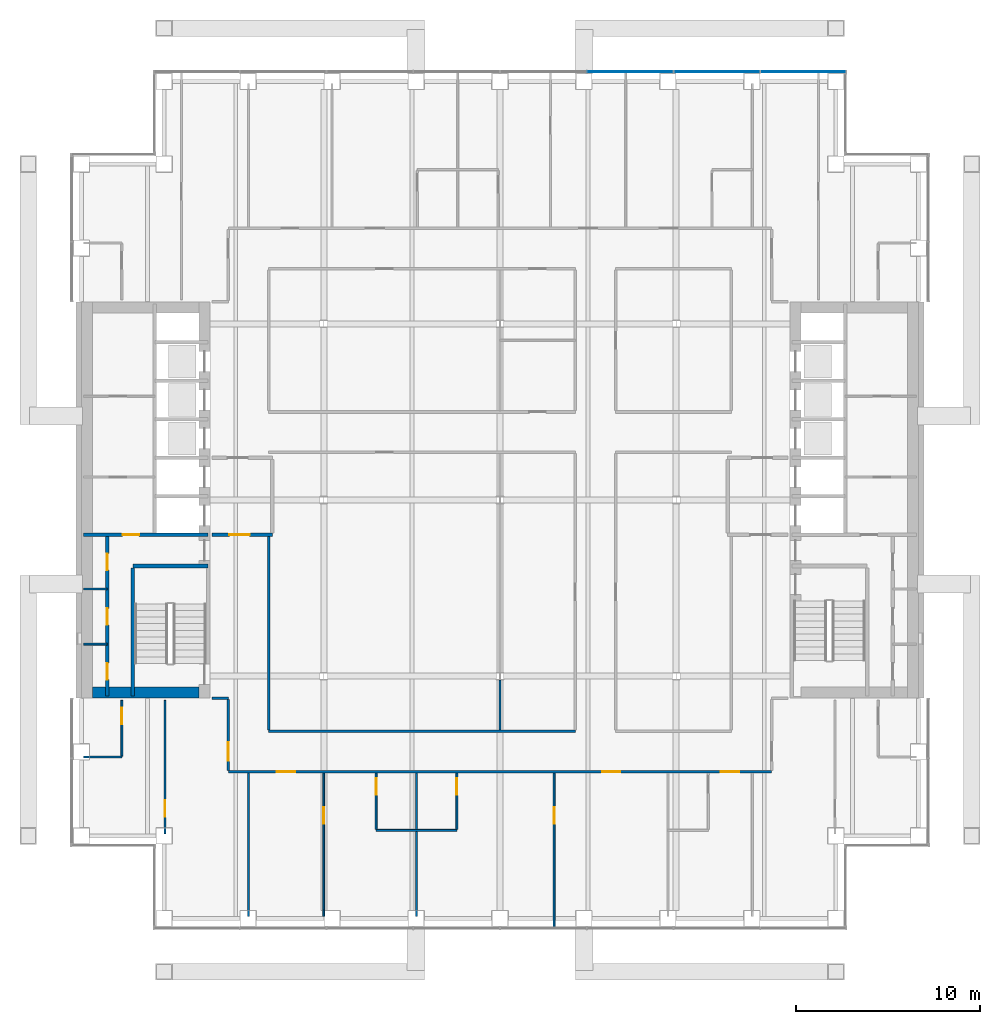
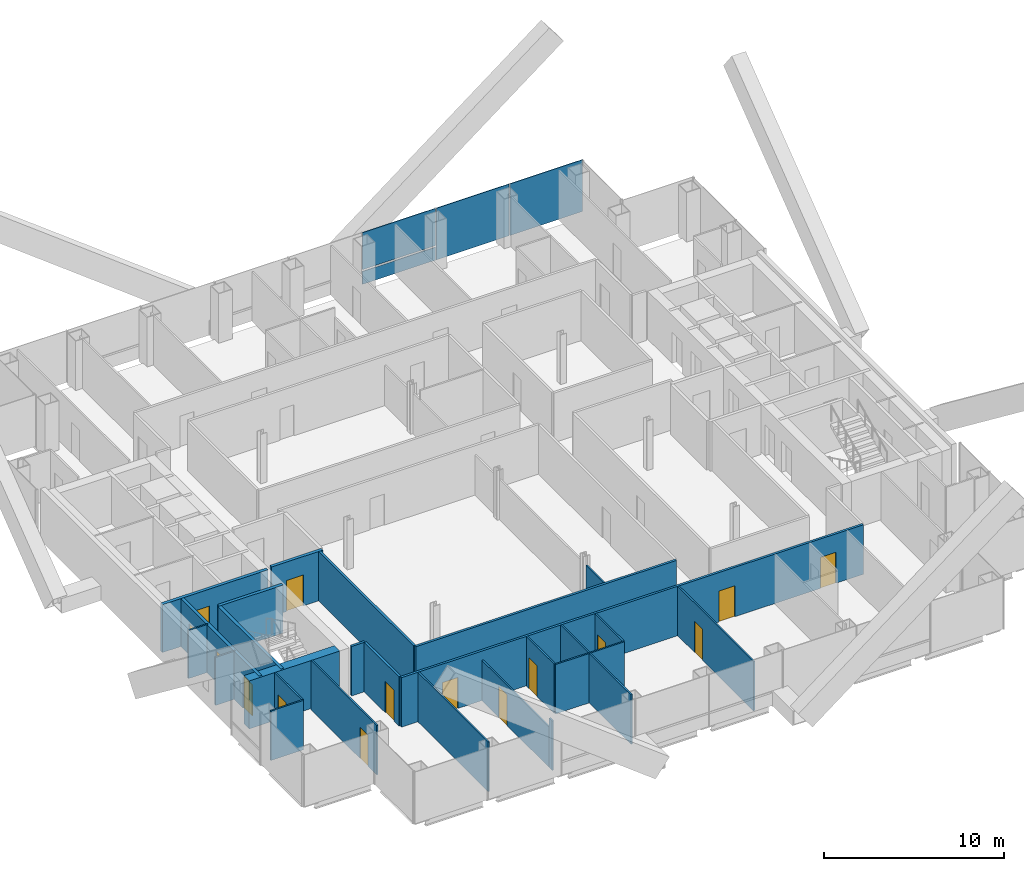
# One storey, part 11 of 17: 26 walls, 15 doors, 4 plates, 15 openings, 1 element without a shape of its own.
"""IFC4 building model written with IfcOpenShell, lengths in metres."""

from ifc_helpers import new_model, si_unit, direction, frame, frame_2d, origin, origin_2d, place, context, subcontext, project, spatial, rectangle, extrude, material, layer, layer_set, type_object, element, fill, aggregate, save


model = new_model("IFC4")

# Units and contexts
model_context = context("Model", 3, precision=1e-05, world=origin(), true_north=direction((0.0, 1.0)))
body_context = subcontext(model_context, "Body", "Model", "MODEL_VIEW")
ifc_project = project(units=[si_unit("LENGTHUNIT", "METRE"), si_unit("AREAUNIT", "SQUARE_METRE"), si_unit("VOLUMEUNIT", "CUBIC_METRE"), si_unit("PLANEANGLEUNIT", "RADIAN"), si_unit("MASSUNIT", "GRAM", prefix="KILO")], contexts=[model_context])

# Site, building, storey
site_placement = place(None, origin())
site = spatial("IfcSite", under=ifc_project, at=site_placement, CompositionType="ELEMENT")
building_placement = place(site_placement, origin())
building = spatial("IfcBuilding", under=site, at=building_placement, Name="Cobrizo Arcos Hotel Tower", CompositionType="ELEMENT")
storey_placement = place(building_placement, frame((0.0, 0.0, 106.5)))
storey = spatial("IfcBuildingStorey", under=building, at=storey_placement, Name="L26", CompositionType="ELEMENT", Elevation=106.5)

# Curtain wall, plates
ifc_material_1 = material(Name="Aluminium 6063-T6 anodised bronze", Category="aluminium")
curtain_wall_type = type_object("IfcCurtainWallType", Name="CW-A guest facade", PredefinedType="NOTDEFINED", material=ifc_material_1)
curtain_wall_placement = place(storey_placement, origin())
curtain_wall = element("IfcCurtainWall", 1, at=curtain_wall_placement, inside=storey, type_object=curtain_wall_type, Name="CW-A L26 N face", PredefinedType="NOTDEFINED")
ifc_material_2 = material(Name="Glass clear laminated low-e", Category="glass")
ifc_layer_1 = layer(ifc_material_2, 0.0400390625)
ifc_layer_set_1 = layer_set([ifc_layer_1], Name="CW-A glass panel")
plate_type_1 = type_object("IfcPlateType", Name="CW-A glass panel", PredefinedType="CURTAIN_PANEL", material=ifc_layer_set_1)
plate_1_placement = place(storey_placement, frame((7.08740234375, 23.324951171875, 0.990234375), z_axis=(0.0, 0.0, 1.0), x_axis=(-1.0, 0.0, 0.0)))
plate_1 = element("IfcPlate", 2, at=plate_1_placement, type_object=plate_type_1, Name="CW-A glass panel 1029", PredefinedType="CURTAIN_PANEL", context=body_context, shape_type="SweptSolid", body=[
    extrude(rectangle(XDim=4.6650390625, YDim=0.0400390625, at=origin_2d()), origin(), (0.0, 0.0, 1.0), 2.510009765625),
])
ifc_material_3 = material(Name="Aluminium composite panel pale metal", Category="aluminium")
ifc_layer_2 = layer(ifc_material_3, 0.0400390625)
ifc_layer_set_2 = layer_set([ifc_layer_2], Name="CW-A spandrel panel")
plate_type_2 = type_object("IfcPlateType", Name="CW-A spandrel panel", PredefinedType="CURTAIN_PANEL", material=ifc_layer_set_2)
plate_2_placement = place(storey_placement, frame((16.5224609375, 23.324951171875, 0.0), z_axis=(0.0, 0.0, 1.0), x_axis=(-1.0, 0.0, 0.0)))
plate_2 = element("IfcPlate", 3, at=plate_2_placement, type_object=plate_type_2, Name="CW-A spandrel panel 1027", PredefinedType="CURTAIN_PANEL", context=body_context, shape_type="SweptSolid", body=[
    extrude(rectangle(XDim=4.635009765625, YDim=0.0400390625, at=origin_2d()), origin(), (0.0, 0.0, 1.0), 3.5),
])
plate_3_placement = place(storey_placement, frame((11.8125, 23.324951171875, 0.0), z_axis=(0.0, 0.0, 1.0), x_axis=(-1.0, 0.0, 0.0)))
plate_3 = element("IfcPlate", 4, at=plate_3_placement, type_object=plate_type_2, Name="CW-A spandrel panel 1028", PredefinedType="CURTAIN_PANEL", context=body_context, shape_type="SweptSolid", body=[
    extrude(rectangle(XDim=4.6650390625, YDim=0.0400390625, at=origin_2d()), origin(), (0.0, 0.0, 1.0), 3.5),
])
plate_4_placement = place(storey_placement, frame((7.08740234375, 23.324951171875, 0.0), z_axis=(0.0, 0.0, 1.0), x_axis=(-1.0, 0.0, 0.0)))
plate_4 = element("IfcPlate", 5, at=plate_4_placement, type_object=plate_type_2, Name="CW-A spandrel panel 1029", PredefinedType="CURTAIN_PANEL", context=body_context, shape_type="SweptSolid", body=[
    extrude(rectangle(XDim=4.6650390625, YDim=0.0400390625, at=origin_2d()), origin(), (0.0, 0.0, 1.0), 0.8701171875),
])
aggregate(curtain_wall, [plate_2, plate_3, plate_4, plate_1])

# Wall, openings, doors
ifc_material_4 = material(Name="Gypsum board partition")
ifc_layer_3 = layer(ifc_material_4, 0.14990234375)
ifc_layer_set_3 = layer_set([ifc_layer_3], Name="Corridor wall EI 60 150")
wall_type_1 = type_object("IfcWallType", Name="Corridor wall EI 60 150", PredefinedType="PARTITIONING", material=ifc_layer_set_3)
wall_1_placement = place(storey_placement, frame((-14.800048828125, -14.800048828125, 0.0), z_axis=(0.0, 0.0, 1.0), x_axis=(1.0, 0.0, 0.0)))
wall_1 = element("IfcWall", 6, at=wall_1_placement, inside=storey, type_object=wall_type_1, Name="Partition 003", PredefinedType="PARTITIONING", context=body_context, shape_type="SweptSolid", body=[
    extrude(rectangle(XDim=29.60009765625, YDim=0.14990234375, at=frame_2d((14.800048828125, 0.0))), origin(), (0.0, 0.0, 1.0), 3.35009765625),
])
opening_1_placement = place(wall_1_placement, frame((2.634033203125, 0.0, 0.0)))
opening_1 = element("IfcOpeningElement", 7, at=opening_1_placement, cuts=wall_1, Name="Opening GD-04", PredefinedType="OPENING", context=body_context, shape_type="SweptSolid", body=[
    extrude(rectangle(XDim=1.0, YDim=2.10009765625, at=frame_2d((0.5, 1.050048828125))), frame((0.0, 0.0869140625, 0.0), z_axis=(0.0, -1.0, 0.0), x_axis=(1.0, 0.0, 0.0)), (0.0, 0.0, 1.0), 0.173828125),
])
opening_2_placement = place(wall_1_placement, frame((20.362060546875, 0.0, 0.0)))
opening_2 = element("IfcOpeningElement", 8, at=opening_2_placement, cuts=wall_1, Name="Opening GD-05", PredefinedType="OPENING", context=body_context, shape_type="SweptSolid", body=[
    extrude(rectangle(XDim=1.0, YDim=2.10009765625, at=frame_2d((0.5, 1.050048828125))), frame((0.0, 0.0869140625, 0.0), z_axis=(0.0, -1.0, 0.0), x_axis=(1.0, 0.0, 0.0)), (0.0, 0.0, 1.0), 0.173828125),
])
opening_3_placement = place(wall_1_placement, frame((26.8369140625, 0.0, 0.0)))
opening_3 = element("IfcOpeningElement", 9, at=opening_3_placement, cuts=wall_1, Name="Opening GD-06", PredefinedType="OPENING", context=body_context, shape_type="SweptSolid", body=[
    extrude(rectangle(XDim=1.0, YDim=2.10009765625, at=frame_2d((0.5, 1.050048828125))), frame((0.0, 0.0869140625, 0.0), z_axis=(0.0, -1.0, 0.0), x_axis=(1.0, 0.0, 0.0)), (0.0, 0.0, 1.0), 0.173828125),
])
ifc_material_5 = material(Name="Timber door leaf", Category="wood")
door_type_1 = type_object("IfcDoorType", Name="Guest room door FD30S 1000x2100", OperationType="SINGLE_SWING_LEFT", PredefinedType="DOOR", material=ifc_material_5)
door_1_placement = place(opening_1_placement, origin())
door_1 = element("IfcDoor", 10, at=door_1_placement, inside=storey, type_object=door_type_1, Name="Door GD-04", OperationType="SINGLE_SWING_RIGHT", OverallHeight=2.10009765625, OverallWidth=1.0, PredefinedType="DOOR", context=body_context, shape_type="SweptSolid", body=[
    extrude(rectangle(XDim=1.0, YDim=2.10009765625, at=frame_2d((0.5, 1.050048828125))), frame((0.0, 0.02490234375, 0.0), z_axis=(0.0, -1.0, 0.0), x_axis=(1.0, 0.0, 0.0)), (0.0, 0.0, 1.0), 0.050048828125),
])
fill(opening_1, door_1)
door_2_placement = place(opening_2_placement, origin())
door_2 = element("IfcDoor", 11, at=door_2_placement, inside=storey, type_object=door_type_1, Name="Door GD-05", OperationType="SINGLE_SWING_LEFT", OverallHeight=2.10009765625, OverallWidth=1.0, PredefinedType="DOOR", context=body_context, shape_type="SweptSolid", body=[
    extrude(rectangle(XDim=1.0, YDim=2.10009765625, at=frame_2d((0.5, 1.050048828125))), frame((0.0, 0.02490234375, 0.0), z_axis=(0.0, -1.0, 0.0), x_axis=(1.0, 0.0, 0.0)), (0.0, 0.0, 1.0), 0.050048828125),
])
fill(opening_2, door_2)
door_3_placement = place(opening_3_placement, origin())
door_3 = element("IfcDoor", 12, at=door_3_placement, inside=storey, type_object=door_type_1, Name="Door GD-06", OperationType="SINGLE_SWING_LEFT", OverallHeight=2.10009765625, OverallWidth=1.0, PredefinedType="DOOR", context=body_context, shape_type="SweptSolid", body=[
    extrude(rectangle(XDim=1.0, YDim=2.10009765625, at=frame_2d((0.5, 1.050048828125))), frame((0.0, 0.02490234375, 0.0), z_axis=(0.0, -1.0, 0.0), x_axis=(1.0, 0.0, 0.0)), (0.0, 0.0, 1.0), 0.050048828125),
])
fill(opening_3, door_3)

# Walls
wall_2_placement = place(storey_placement, frame((-12.60009765625, -12.60009765625, 0.0), z_axis=(0.0, 0.0, 1.0), x_axis=(1.0, 0.0, 0.0)))
element("IfcWall", 13, at=wall_2_placement, inside=storey, type_object=wall_type_1, Name="Partition 006", PredefinedType="PARTITIONING", context=body_context, shape_type="SweptSolid", body=[
    extrude(rectangle(XDim=16.7001953125, YDim=0.14990234375, at=frame_2d((8.35009765625, 0.0))), origin(), (0.0, 0.0, 1.0), 3.35009765625),
])
wall_3_placement = place(storey_placement, frame((-15.679931640625, -10.800048828125, 0.0), z_axis=(0.0, 0.0, 1.0), x_axis=(1.0, 0.0, 0.0)))
element("IfcWall", 14, at=wall_3_placement, inside=storey, type_object=wall_type_1, Name="Partition 008", PredefinedType="PARTITIONING", context=body_context, shape_type="SweptSolid", body=[
    extrude(rectangle(XDim=0.8798828125, YDim=0.14990234375, at=frame_2d((0.43994140625, 0.0))), origin(), (0.0, 0.0, 1.0), 3.35009765625),
])

# Wall, opening, door
wall_4_placement = place(storey_placement, frame((-14.800048828125, -14.72509765625, 0.0), z_axis=(0.0, 0.0, 1.0), x_axis=(0.0, 1.0, 0.0)))
wall_4 = element("IfcWall", 15, at=wall_4_placement, inside=storey, type_object=wall_type_1, Name="Partition 057", PredefinedType="PARTITIONING", context=body_context, shape_type="SweptSolid", body=[
    extrude(rectangle(XDim=3.85009765625, YDim=0.14990234375, at=frame_2d((1.925048828125, 0.0))), origin(), (0.0, 0.0, 1.0), 3.35009765625),
])
opening_4_placement = place(wall_4_placement, frame((0.52490234375, 0.0, 0.0)))
opening_4 = element("IfcOpeningElement", 16, at=opening_4_placement, cuts=wall_4, Name="Opening GD-07", PredefinedType="OPENING", context=body_context, shape_type="SweptSolid", body=[
    extrude(rectangle(XDim=1.0, YDim=2.10009765625, at=frame_2d((0.5, 1.050048828125))), frame((0.0, 0.0869140625, 0.0), z_axis=(0.0, -1.0, 0.0), x_axis=(1.0, 0.0, 0.0)), (0.0, 0.0, 1.0), 0.173828125),
])
door_4_placement = place(opening_4_placement, origin())
door_4 = element("IfcDoor", 17, at=door_4_placement, inside=storey, type_object=door_type_1, Name="Door GD-07", OperationType="SINGLE_SWING_RIGHT", OverallHeight=2.10009765625, OverallWidth=1.0, PredefinedType="DOOR", context=body_context, shape_type="SweptSolid", body=[
    extrude(rectangle(XDim=1.0, YDim=2.10009765625, at=frame_2d((0.5, 1.050048828125))), frame((0.0, 0.02490234375, 0.0), z_axis=(0.0, -1.0, 0.0), x_axis=(1.0, 0.0, 0.0)), (0.0, 0.0, 1.0), 0.050048828125),
])
fill(opening_4, door_4)

# Walls
wall_5_placement = place(storey_placement, frame((-12.60009765625, -12.52490234375, 0.0), z_axis=(0.0, 0.0, 1.0), x_axis=(0.0, 1.0, 0.0)))
element("IfcWall", 18, at=wall_5_placement, inside=storey, type_object=wall_type_1, Name="Partition 061", PredefinedType="PARTITIONING", context=body_context, shape_type="SweptSolid", body=[
    extrude(rectangle(XDim=10.52490234375, YDim=0.14990234375, at=frame_2d((5.262451171875, 0.0))), origin(), (0.0, 0.0, 1.0), 3.35009765625),
])
ifc_layer_4 = layer(ifc_material_4, 0.10009765625)
ifc_layer_set_4 = layer_set([ifc_layer_4], Name="Partition EI 30 100")
wall_type_2 = type_object("IfcWallType", Name="Partition EI 30 100", PredefinedType="PARTITIONING", material=ifc_layer_set_4)
wall_6_placement = place(storey_placement, frame((-6.75, -18.0, 0.0), z_axis=(0.0, 0.0, 1.0), x_axis=(1.0, 0.0, 0.0)))
element("IfcWall", 19, at=wall_6_placement, inside=storey, type_object=wall_type_2, Name="Partition 001", PredefinedType="PARTITIONING", context=body_context, shape_type="SweptSolid", body=[
    extrude(rectangle(XDim=4.39990234375, YDim=0.10009765625, at=frame_2d((2.199951171875, 0.0))), origin(), (0.0, 0.0, 1.0), 3.35009765625),
])
wall_7_placement = place(storey_placement, frame((-22.679931640625, -14.0, 0.0), z_axis=(0.0, 0.0, 1.0), x_axis=(1.0, 0.0, 0.0)))
element("IfcWall", 20, at=wall_7_placement, inside=storey, type_object=wall_type_2, Name="Partition 004", PredefinedType="PARTITIONING", context=body_context, shape_type="SweptSolid", body=[
    extrude(rectangle(XDim=2.079833984375, YDim=0.10009765625, at=frame_2d((1.0400390625, 0.0))), origin(), (0.0, 0.0, 1.0), 3.35009765625),
])
for number, where, z_axis, x_axis, name in (
    (21, (-22.679931640625, -7.85009765625, 0.0), (0.0, 0.0, 1.0), (1.0, 0.0, 0.0), "Partition 010"),
    (22, (-22.679931640625, -4.85009765625, 0.0), (0.0, 0.0, 1.0), (1.0, 0.0, 0.0), "Partition 012"),
):
    element("IfcWall", number, at=place(storey_placement, frame(where, z_axis=z_axis, x_axis=x_axis)), inside=storey, type_object=wall_type_2, Name=name, PredefinedType="PARTITIONING", context=body_context, shape_type="SweptSolid", body=[
        extrude(rectangle(XDim=1.280029296875, YDim=0.10009765625, at=frame_2d((0.64013671875, 0.0))), origin(), (0.0, 0.0, 1.0), 3.25),
    ])

# Wall, opening, door
wall_8_placement = place(storey_placement, frame((-20.60009765625, -13.949951171875, 0.0), z_axis=(0.0, 0.0, 1.0), x_axis=(0.0, 1.0, 0.0)))
wall_8 = element("IfcWall", 23, at=wall_8_placement, inside=storey, type_object=wall_type_2, Name="Partition 051", PredefinedType="PARTITIONING", context=body_context, shape_type="SweptSolid", body=[
    extrude(rectangle(XDim=3.030029296875, YDim=0.10009765625, at=frame_2d((1.51513671875, 0.0))), origin(), (0.0, 0.0, 1.0), 3.35009765625),
])
opening_5_placement = place(wall_8_placement, frame((1.739990234375, 0.0, 0.0)))
opening_5 = element("IfcOpeningElement", 24, at=opening_5_placement, cuts=wall_8, Name="Opening ED-09", PredefinedType="OPENING", context=body_context, shape_type="SweptSolid", body=[
    extrude(rectangle(XDim=0.89990234375, YDim=2.10009765625, at=frame_2d((0.449951171875, 1.050048828125))), frame((0.0, 0.06201171875, 0.0), z_axis=(0.0, -1.0, 0.0), x_axis=(1.0, 0.0, 0.0)), (0.0, 0.0, 1.0), 0.1240234375),
])
door_type_2 = type_object("IfcDoorType", Name="En-suite door 900x2100", OperationType="SINGLE_SWING_LEFT", PredefinedType="DOOR", material=ifc_material_5)
door_5_placement = place(opening_5_placement, origin())
door_5 = element("IfcDoor", 25, at=door_5_placement, inside=storey, type_object=door_type_2, Name="Door ED-09", OperationType="SINGLE_SWING_RIGHT", OverallHeight=2.10009765625, OverallWidth=0.89990234375, PredefinedType="DOOR", context=body_context, shape_type="SweptSolid", body=[
    extrude(rectangle(XDim=0.89990234375, YDim=2.10009765625, at=frame_2d((0.449951171875, 1.050048828125))), frame((0.0, 0.02490234375, 0.0), z_axis=(0.0, -1.0, 0.0), x_axis=(1.0, 0.0, 0.0)), (0.0, 0.0, 1.0), 0.050048828125),
])
fill(opening_5, door_5)

wall_9_placement = place(storey_placement, frame((-18.25, -18.19091796875, 0.0), z_axis=(0.0, 0.0, 1.0), x_axis=(0.0, 1.0, 0.0)))
wall_9 = element("IfcWall", 26, at=wall_9_placement, inside=storey, type_object=wall_type_2, Name="Partition 055", PredefinedType="PARTITIONING", context=body_context, shape_type="SweptSolid", body=[
    extrude(rectangle(XDim=7.27099609375, YDim=0.10009765625, at=frame_2d((3.635498046875, 0.0))), origin(), (0.0, 0.0, 1.0), 3.35009765625),
])
opening_6_placement = place(wall_9_placement, frame((0.94091796875, 0.0, 0.0)))
opening_6 = element("IfcOpeningElement", 27, at=opening_6_placement, cuts=wall_9, Name="Opening RD-15", PredefinedType="OPENING", context=body_context, shape_type="SweptSolid", body=[
    extrude(rectangle(XDim=0.89990234375, YDim=2.10009765625, at=frame_2d((0.449951171875, 1.050048828125))), frame((0.0, 0.06201171875, 0.0), z_axis=(0.0, -1.0, 0.0), x_axis=(1.0, 0.0, 0.0)), (0.0, 0.0, 1.0), 0.1240234375),
])
door_type_3 = type_object("IfcDoorType", Name="Room door FD30 900x2100", OperationType="SINGLE_SWING_LEFT", PredefinedType="DOOR", material=ifc_material_5)
door_6_placement = place(opening_6_placement, origin())
door_6 = element("IfcDoor", 28, at=door_6_placement, inside=storey, type_object=door_type_3, Name="Door RD-15", OperationType="SINGLE_SWING_RIGHT", OverallHeight=2.10009765625, OverallWidth=0.89990234375, PredefinedType="DOOR", context=body_context, shape_type="SweptSolid", body=[
    extrude(rectangle(XDim=0.89990234375, YDim=2.10009765625, at=frame_2d((0.449951171875, 1.050048828125))), frame((0.0, 0.02490234375, 0.0), z_axis=(0.0, -1.0, 0.0), x_axis=(1.0, 0.0, 0.0)), (0.0, 0.0, 1.0), 0.050048828125),
])
fill(opening_6, door_6)

# Walls
wall_10_placement = place(storey_placement, frame((-13.699951171875, -22.679931640625, 0.0), z_axis=(0.0, 0.0, 1.0), x_axis=(0.0, 1.0, 0.0)))
element("IfcWall", 29, at=wall_10_placement, inside=storey, type_object=wall_type_2, Name="Partition 059", PredefinedType="PARTITIONING", context=body_context, shape_type="SweptSolid", body=[
    extrude(rectangle(XDim=7.804931640625, YDim=0.10009765625, at=frame_2d((3.90234375, 0.0))), origin(), (0.0, 0.0, 1.0), 3.35009765625),
])
wall_11_placement = place(storey_placement, frame((-9.60009765625, -22.679931640625, 0.0), z_axis=(0.0, 0.0, 1.0), x_axis=(0.0, 1.0, 0.0)))
element("IfcWall", 30, at=wall_11_placement, inside=storey, type_object=wall_type_2, Name="Partition 064", PredefinedType="PARTITIONING", context=body_context, shape_type="SweptSolid", body=[
    extrude(rectangle(XDim=0.329833984375, YDim=0.10009765625, at=frame_2d((0.1650390625, 0.0))), origin(), (0.0, 0.0, 1.0), 3.35009765625),
])

# Wall, opening, door
wall_12_placement = place(storey_placement, frame((-9.60009765625, -22.35009765625, 0.0), z_axis=(0.0, 0.0, 1.0), x_axis=(0.0, 1.0, 0.0)))
wall_12 = element("IfcWall", 31, at=wall_12_placement, inside=storey, type_object=wall_type_2, Name="Partition 065", PredefinedType="PARTITIONING", context=body_context, shape_type="SweptSolid", body=[
    extrude(rectangle(XDim=7.47509765625, YDim=0.10009765625, at=frame_2d((3.737548828125, 0.0))), origin(), (0.0, 0.0, 1.0), 2.72802734375),
])
opening_7_placement = place(wall_12_placement, frame((4.699951171875, 0.0, 0.0)))
opening_7 = element("IfcOpeningElement", 32, at=opening_7_placement, cuts=wall_12, Name="Opening RD-13", PredefinedType="OPENING", context=body_context, shape_type="SweptSolid", body=[
    extrude(rectangle(XDim=0.89990234375, YDim=2.10009765625, at=frame_2d((0.449951171875, 1.050048828125))), frame((0.0, 0.06201171875, 0.0), z_axis=(0.0, -1.0, 0.0), x_axis=(1.0, 0.0, 0.0)), (0.0, 0.0, 1.0), 0.1240234375),
])
door_7_placement = place(opening_7_placement, origin())
door_7 = element("IfcDoor", 33, at=door_7_placement, inside=storey, type_object=door_type_3, Name="Door RD-13", OperationType="SINGLE_SWING_RIGHT", OverallHeight=2.10009765625, OverallWidth=0.89990234375, PredefinedType="DOOR", context=body_context, shape_type="SweptSolid", body=[
    extrude(rectangle(XDim=0.89990234375, YDim=2.10009765625, at=frame_2d((0.449951171875, 1.050048828125))), frame((0.0, 0.02490234375, 0.0), z_axis=(0.0, -1.0, 0.0), x_axis=(1.0, 0.0, 0.0)), (0.0, 0.0, 1.0), 0.050048828125),
])
fill(opening_7, door_7)

wall_13_placement = place(storey_placement, frame((-6.75, -17.949951171875, 0.0), z_axis=(0.0, 0.0, 1.0), x_axis=(0.0, 1.0, 0.0)))
wall_13 = element("IfcWall", 34, at=wall_13_placement, inside=storey, type_object=wall_type_2, Name="Partition 067", PredefinedType="PARTITIONING", context=body_context, shape_type="SweptSolid", body=[
    extrude(rectangle(XDim=3.074951171875, YDim=0.10009765625, at=frame_2d((1.53759765625, 0.0))), origin(), (0.0, 0.0, 1.0), 3.35009765625),
])
opening_8_placement = place(wall_13_placement, frame((1.89990234375, 0.0, 0.0)))
opening_8 = element("IfcOpeningElement", 35, at=opening_8_placement, cuts=wall_13, Name="Opening ED-06", PredefinedType="OPENING", context=body_context, shape_type="SweptSolid", body=[
    extrude(rectangle(XDim=0.89990234375, YDim=2.10009765625, at=frame_2d((0.449951171875, 1.050048828125))), frame((0.0, 0.06201171875, 0.0), z_axis=(0.0, -1.0, 0.0), x_axis=(1.0, 0.0, 0.0)), (0.0, 0.0, 1.0), 0.1240234375),
])
door_8_placement = place(opening_8_placement, origin())
door_8 = element("IfcDoor", 36, at=door_8_placement, inside=storey, type_object=door_type_2, Name="Door ED-06", OperationType="SINGLE_SWING_RIGHT", OverallHeight=2.10009765625, OverallWidth=0.89990234375, PredefinedType="DOOR", context=body_context, shape_type="SweptSolid", body=[
    extrude(rectangle(XDim=0.89990234375, YDim=2.10009765625, at=frame_2d((0.449951171875, 1.050048828125))), frame((0.0, 0.02490234375, 0.0), z_axis=(0.0, -1.0, 0.0), x_axis=(1.0, 0.0, 0.0)), (0.0, 0.0, 1.0), 0.050048828125),
])
fill(opening_8, door_8)

# Walls
wall_14_placement = place(storey_placement, frame((-4.550048828125, -22.679931640625, 0.0), z_axis=(0.0, 0.0, 1.0), x_axis=(0.0, 1.0, 0.0)))
element("IfcWall", 37, at=wall_14_placement, inside=storey, type_object=wall_type_2, Name="Partition 068", PredefinedType="PARTITIONING", context=body_context, shape_type="SweptSolid", body=[
    extrude(rectangle(XDim=4.6298828125, YDim=0.10009765625, at=frame_2d((2.31494140625, 0.0))), origin(), (0.0, 0.0, 1.0), 3.35009765625),
])
wall_15_placement = place(storey_placement, frame((-4.550048828125, -17.949951171875, 0.0), z_axis=(0.0, 0.0, 1.0), x_axis=(0.0, 1.0, 0.0)))
element("IfcWall", 38, at=wall_15_placement, inside=storey, type_object=wall_type_2, Name="Partition 069", PredefinedType="PARTITIONING", context=body_context, shape_type="SweptSolid", body=[
    extrude(rectangle(XDim=3.074951171875, YDim=0.10009765625, at=frame_2d((1.53759765625, 0.0))), origin(), (0.0, 0.0, 1.0), 3.35009765625),
])

# Wall, opening, door
wall_16_placement = place(storey_placement, frame((-2.35009765625, -17.949951171875, 0.0), z_axis=(0.0, 0.0, 1.0), x_axis=(0.0, 1.0, 0.0)))
wall_16 = element("IfcWall", 39, at=wall_16_placement, inside=storey, type_object=wall_type_2, Name="Partition 071", PredefinedType="PARTITIONING", context=body_context, shape_type="SweptSolid", body=[
    extrude(rectangle(XDim=3.074951171875, YDim=0.10009765625, at=frame_2d((1.53759765625, 0.0))), origin(), (0.0, 0.0, 1.0), 3.35009765625),
])
opening_9_placement = place(wall_16_placement, frame((1.89990234375, 0.0, 0.0)))
opening_9 = element("IfcOpeningElement", 40, at=opening_9_placement, cuts=wall_16, Name="Opening ED-07", PredefinedType="OPENING", context=body_context, shape_type="SweptSolid", body=[
    extrude(rectangle(XDim=0.89990234375, YDim=2.10009765625, at=frame_2d((0.449951171875, 1.050048828125))), frame((0.0, 0.06201171875, 0.0), z_axis=(0.0, -1.0, 0.0), x_axis=(1.0, 0.0, 0.0)), (0.0, 0.0, 1.0), 0.1240234375),
])
door_9_placement = place(opening_9_placement, origin())
door_9 = element("IfcDoor", 41, at=door_9_placement, inside=storey, type_object=door_type_2, Name="Door ED-07", OperationType="SINGLE_SWING_RIGHT", OverallHeight=2.10009765625, OverallWidth=0.89990234375, PredefinedType="DOOR", context=body_context, shape_type="SweptSolid", body=[
    extrude(rectangle(XDim=0.89990234375, YDim=2.10009765625, at=frame_2d((0.449951171875, 1.050048828125))), frame((0.0, 0.02490234375, 0.0), z_axis=(0.0, -1.0, 0.0), x_axis=(1.0, 0.0, 0.0)), (0.0, 0.0, 1.0), 0.050048828125),
])
fill(opening_9, door_9)

# Wall
wall_17_placement = place(storey_placement, frame((0.0, -12.52490234375, 0.0), z_axis=(0.0, 0.0, 1.0), x_axis=(0.0, 1.0, 0.0)))
element("IfcWall", 42, at=wall_17_placement, inside=storey, type_object=wall_type_2, Name="Partition 075", PredefinedType="PARTITIONING", context=body_context, shape_type="SweptSolid", body=[
    extrude(rectangle(XDim=2.725830078125, YDim=0.10009765625, at=frame_2d((1.36279296875, 0.0))), origin(), (0.0, 0.0, 1.0), 2.72802734375),
])

# Wall, opening, door
wall_18_placement = place(storey_placement, frame((2.949951171875, -23.280029296875, 0.0), z_axis=(0.0, 0.0, 1.0), x_axis=(0.0, 1.0, 0.0)))
wall_18 = element("IfcWall", 43, at=wall_18_placement, inside=storey, type_object=wall_type_2, Name="Partition 084", PredefinedType="PARTITIONING", context=body_context, shape_type="SweptSolid", body=[
    extrude(rectangle(XDim=8.405029296875, YDim=0.10009765625, at=frame_2d((4.20263671875, 0.0))), origin(), (0.0, 0.0, 1.0), 3.35009765625),
])
opening_10_placement = place(wall_18_placement, frame((5.6298828125, 0.0, 0.0)))
opening_10 = element("IfcOpeningElement", 44, at=opening_10_placement, cuts=wall_18, Name="Opening RD-14", PredefinedType="OPENING", context=body_context, shape_type="SweptSolid", body=[
    extrude(rectangle(XDim=0.89990234375, YDim=2.10009765625, at=frame_2d((0.449951171875, 1.050048828125))), frame((0.0, 0.06201171875, 0.0), z_axis=(0.0, -1.0, 0.0), x_axis=(1.0, 0.0, 0.0)), (0.0, 0.0, 1.0), 0.1240234375),
])
door_10_placement = place(opening_10_placement, origin())
door_10 = element("IfcDoor", 45, at=door_10_placement, inside=storey, type_object=door_type_3, Name="Door RD-14", OperationType="SINGLE_SWING_LEFT", OverallHeight=2.10009765625, OverallWidth=0.89990234375, PredefinedType="DOOR", context=body_context, shape_type="SweptSolid", body=[
    extrude(rectangle(XDim=0.89990234375, YDim=2.10009765625, at=frame_2d((0.449951171875, 1.050048828125))), frame((0.0, 0.02490234375, 0.0), z_axis=(0.0, -1.0, 0.0), x_axis=(1.0, 0.0, 0.0)), (0.0, 0.0, 1.0), 0.050048828125),
])
fill(opening_10, door_10)

# Wall
ifc_material_6 = material(Name="Concrete f'c 50 MPa", Category="concrete")
ifc_layer_5 = layer(ifc_material_6, 0.60009765625)
ifc_layer_set_5 = layer_set([ifc_layer_5], Name="RC core wall 600 f'c 50")
wall_type_3 = type_object("IfcWallType", Name="RC core wall 600 f'c 50", PredefinedType="SHEAR", material=ifc_layer_set_5)
wall_19_placement = place(storey_placement, frame((-22.199951171875, -10.5, 0.0), z_axis=(0.0, 0.0, 1.0), x_axis=(1.0, 0.0, 0.0)))
element("IfcWall", 46, at=wall_19_placement, inside=storey, type_object=wall_type_3, Name="Core wall CW2, west core, south end, L26", PredefinedType="SHEAR", context=body_context, shape_type="SweptSolid", body=[
    extrude(rectangle(XDim=5.800048828125, YDim=0.60009765625, at=frame_2d((2.89990234375, 0.0))), origin(), (0.0, 0.0, 1.0), 3.25),
])

# Wall, opening, door
ifc_layer_6 = layer(ifc_material_4, 0.199951171875)
ifc_layer_set_6 = layer_set([ifc_layer_6], Name="Shaft wall EI 120 200")
wall_type_4 = type_object("IfcWallType", Name="Shaft wall EI 120 200", PredefinedType="PARTITIONING", material=ifc_layer_set_6)
wall_20_placement = place(storey_placement, frame((-22.679931640625, -1.89990234375, 0.0), z_axis=(0.0, 0.0, 1.0), x_axis=(1.0, 0.0, 0.0)))
wall_20 = element("IfcWall", 47, at=wall_20_placement, inside=storey, type_object=wall_type_4, Name="Partition 016", PredefinedType="PARTITIONING", context=body_context, shape_type="SweptSolid", body=[
    extrude(rectangle(XDim=6.760009765625, YDim=0.199951171875, at=frame_2d((3.3798828125, 0.0))), origin(), (0.0, 0.0, 1.0), 3.25),
])
opening_11_placement = place(wall_20_placement, frame((2.1201171875, 0.0, 0.0)))
opening_11 = element("IfcOpeningElement", 48, at=opening_11_placement, cuts=wall_20, Name="Opening RD-03", PredefinedType="OPENING", context=body_context, shape_type="SweptSolid", body=[
    extrude(rectangle(XDim=0.89990234375, YDim=2.10009765625, at=frame_2d((0.449951171875, 1.050048828125))), frame((0.0, 0.112060546875, 0.0), z_axis=(0.0, -1.0, 0.0), x_axis=(1.0, 0.0, 0.0)), (0.0, 0.0, 1.0), 0.223876953125),
])
door_11_placement = place(opening_11_placement, origin())
door_11 = element("IfcDoor", 49, at=door_11_placement, inside=storey, type_object=door_type_3, Name="Door RD-03", OperationType="SINGLE_SWING_LEFT", OverallHeight=2.10009765625, OverallWidth=0.89990234375, PredefinedType="DOOR", context=body_context, shape_type="SweptSolid", body=[
    extrude(rectangle(XDim=0.89990234375, YDim=2.10009765625, at=frame_2d((0.449951171875, 1.050048828125))), frame((0.0, 0.02490234375, 0.0), z_axis=(0.0, -1.0, 0.0), x_axis=(1.0, 0.0, 0.0)), (0.0, 0.0, 1.0), 0.050048828125),
])
fill(opening_11, door_11)

wall_21_placement = place(storey_placement, frame((-15.679931640625, -1.89990234375, 0.0), z_axis=(0.0, 0.0, 1.0), x_axis=(1.0, 0.0, 0.0)))
wall_21 = element("IfcWall", 50, at=wall_21_placement, inside=storey, type_object=wall_type_4, Name="Partition 017", PredefinedType="PARTITIONING", context=body_context, shape_type="SweptSolid", body=[
    extrude(rectangle(XDim=3.280029296875, YDim=0.199951171875, at=frame_2d((1.64013671875, 0.0))), origin(), (0.0, 0.0, 1.0), 3.35009765625),
])
opening_12_placement = place(wall_21_placement, frame((0.93994140625, 0.0, 0.0)))
opening_12 = element("IfcOpeningElement", 51, at=opening_12_placement, cuts=wall_21, Name="Opening FD-02", PredefinedType="OPENING", context=body_context, shape_type="SweptSolid", body=[
    extrude(rectangle(XDim=1.10009765625, YDim=2.10009765625, at=frame_2d((0.550048828125, 1.050048828125))), frame((0.0, 0.112060546875, 0.0), z_axis=(0.0, -1.0, 0.0), x_axis=(1.0, 0.0, 0.0)), (0.0, 0.0, 1.0), 0.223876953125),
])
ifc_material_7 = material(Name="Steel door leaf", Category="steel")
door_type_4 = type_object("IfcDoorType", Name="Fire door FD60 1100x2100", OperationType="SINGLE_SWING_LEFT", PredefinedType="DOOR", material=ifc_material_7)
door_12_placement = place(opening_12_placement, origin())
door_12 = element("IfcDoor", 52, at=door_12_placement, inside=storey, type_object=door_type_4, Name="Door FD-02", OperationType="SINGLE_SWING_RIGHT", OverallHeight=2.10009765625, OverallWidth=1.10009765625, PredefinedType="DOOR", context=body_context, shape_type="SweptSolid", body=[
    extrude(rectangle(XDim=1.10009765625, YDim=2.10009765625, at=frame_2d((0.550048828125, 1.050048828125))), frame((0.0, 0.02490234375, 0.0), z_axis=(0.0, -1.0, 0.0), x_axis=(1.0, 0.0, 0.0)), (0.0, 0.0, 1.0), 0.050048828125),
])
fill(opening_12, door_12)

# Wall, openings, doors
wall_22_placement = place(storey_placement, frame((-21.39990234375, -10.679931640625, 0.0), z_axis=(0.0, 0.0, 1.0), x_axis=(0.0, 1.0, 0.0)))
wall_22 = element("IfcWall", 53, at=wall_22_placement, inside=storey, type_object=wall_type_4, Name="Partition 050", PredefinedType="PARTITIONING", context=body_context, shape_type="SweptSolid", body=[
    extrude(rectangle(XDim=8.679931640625, YDim=0.199951171875, at=frame_2d((4.33984375, 0.0))), origin(), (0.0, 0.0, 1.0), 3.25),
])
opening_13_placement = place(wall_22_placement, frame((0.89892578125, 0.0, 0.0)))
opening_13 = element("IfcOpeningElement", 54, at=opening_13_placement, cuts=wall_22, Name="Opening RD-01", PredefinedType="OPENING", context=body_context, shape_type="SweptSolid", body=[
    extrude(rectangle(XDim=0.89990234375, YDim=2.10009765625, at=frame_2d((0.449951171875, 1.050048828125))), frame((0.0, 0.112060546875, 0.0), z_axis=(0.0, -1.0, 0.0), x_axis=(1.0, 0.0, 0.0)), (0.0, 0.0, 1.0), 0.223876953125),
])
opening_14_placement = place(wall_22_placement, frame((3.8798828125, 0.0, 0.0)))
opening_14 = element("IfcOpeningElement", 55, at=opening_14_placement, cuts=wall_22, Name="Opening RD-02", PredefinedType="OPENING", context=body_context, shape_type="SweptSolid", body=[
    extrude(rectangle(XDim=0.89990234375, YDim=2.10009765625, at=frame_2d((0.449951171875, 1.050048828125))), frame((0.0, 0.112060546875, 0.0), z_axis=(0.0, -1.0, 0.0), x_axis=(1.0, 0.0, 0.0)), (0.0, 0.0, 1.0), 0.223876953125),
])
opening_15_placement = place(wall_22_placement, frame((6.862060546875, 0.0, 0.0)))
opening_15 = element("IfcOpeningElement", 56, at=opening_15_placement, cuts=wall_22, Name="Opening ED-01", PredefinedType="OPENING", context=body_context, shape_type="SweptSolid", body=[
    extrude(rectangle(XDim=0.89990234375, YDim=2.10009765625, at=frame_2d((0.449951171875, 1.050048828125))), frame((0.0, 0.112060546875, 0.0), z_axis=(0.0, -1.0, 0.0), x_axis=(1.0, 0.0, 0.0)), (0.0, 0.0, 1.0), 0.223876953125),
])
door_13_placement = place(opening_15_placement, origin())
door_13 = element("IfcDoor", 57, at=door_13_placement, inside=storey, type_object=door_type_2, Name="Door ED-01", OperationType="SINGLE_SWING_LEFT", OverallHeight=2.10009765625, OverallWidth=0.89990234375, PredefinedType="DOOR", context=body_context, shape_type="SweptSolid", body=[
    extrude(rectangle(XDim=0.89990234375, YDim=2.10009765625, at=frame_2d((0.449951171875, 1.050048828125))), frame((0.0, 0.02490234375, 0.0), z_axis=(0.0, -1.0, 0.0), x_axis=(1.0, 0.0, 0.0)), (0.0, 0.0, 1.0), 0.050048828125),
])
fill(opening_15, door_13)
door_14_placement = place(opening_13_placement, origin())
door_14 = element("IfcDoor", 58, at=door_14_placement, inside=storey, type_object=door_type_3, Name="Door RD-01", OperationType="SINGLE_SWING_LEFT", OverallHeight=2.10009765625, OverallWidth=0.89990234375, PredefinedType="DOOR", context=body_context, shape_type="SweptSolid", body=[
    extrude(rectangle(XDim=0.89990234375, YDim=2.10009765625, at=frame_2d((0.449951171875, 1.050048828125))), frame((0.0, 0.02490234375, 0.0), z_axis=(0.0, -1.0, 0.0), x_axis=(1.0, 0.0, 0.0)), (0.0, 0.0, 1.0), 0.050048828125),
])
fill(opening_13, door_14)
door_15_placement = place(opening_14_placement, origin())
door_15 = element("IfcDoor", 59, at=door_15_placement, inside=storey, type_object=door_type_3, Name="Door RD-02", OperationType="SINGLE_SWING_RIGHT", OverallHeight=2.10009765625, OverallWidth=0.89990234375, PredefinedType="DOOR", context=body_context, shape_type="SweptSolid", body=[
    extrude(rectangle(XDim=0.89990234375, YDim=2.10009765625, at=frame_2d((0.449951171875, 1.050048828125))), frame((0.0, 0.02490234375, 0.0), z_axis=(0.0, -1.0, 0.0), x_axis=(1.0, 0.0, 0.0)), (0.0, 0.0, 1.0), 0.050048828125),
])
fill(opening_14, door_15)

# Walls
ifc_material_8 = material(Name="Concrete f'c 40 MPa", Category="concrete")
ifc_layer_7 = layer(ifc_material_8, 0.199951171875)
ifc_layer_set_7 = layer_set([ifc_layer_7], Name="Stair shaft wall 200")
wall_type_5 = type_object("IfcWallType", Name="Stair shaft wall 200", PredefinedType="SHEAR", material=ifc_layer_set_7)
wall_23_placement = place(storey_placement, frame((-20.0, -3.60009765625, 0.0), z_axis=(0.0, 0.0, 1.0), x_axis=(1.0, 0.0, 0.0)))
element("IfcWall", 60, at=wall_23_placement, inside=storey, type_object=wall_type_5, Name="Stair shaft wall W", PredefinedType="SHEAR", context=body_context, shape_type="SweptSolid", body=[
    extrude(rectangle(XDim=4.080078125, YDim=0.199951171875, at=frame_2d((2.0400390625, 0.0))), origin(), (0.0, 0.0, 1.0), 3.25),
])
wall_24_placement = place(storey_placement, frame((-20.0, -10.679931640625, 0.0), z_axis=(0.0, 0.0, 1.0), x_axis=(0.0, 1.0, 0.0)))
element("IfcWall", 61, at=wall_24_placement, inside=storey, type_object=wall_type_5, Name="Stair shaft wall W", PredefinedType="SHEAR", context=body_context, shape_type="SweptSolid", body=[
    extrude(rectangle(XDim=6.97998046875, YDim=0.199951171875, at=frame_2d((3.489990234375, 0.0))), origin(), (0.0, 0.0, 1.0), 3.25),
])

save(model, "model.ifc")
